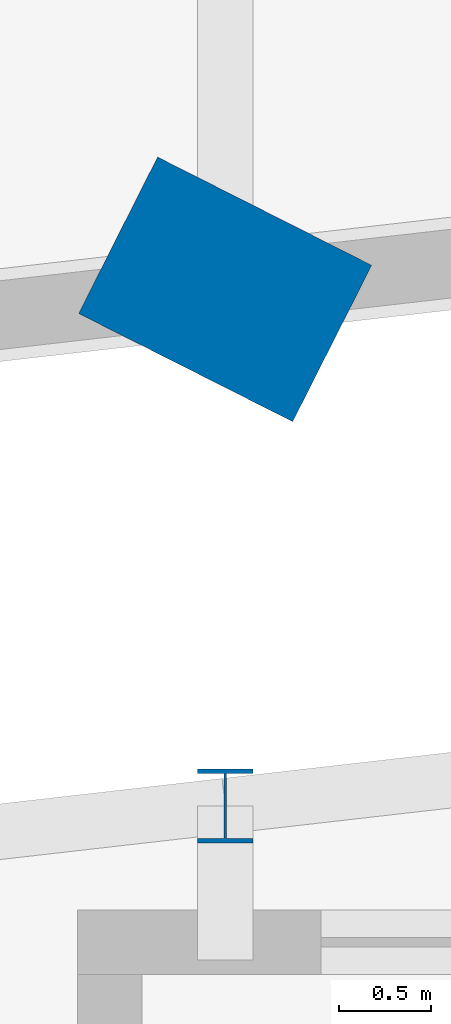
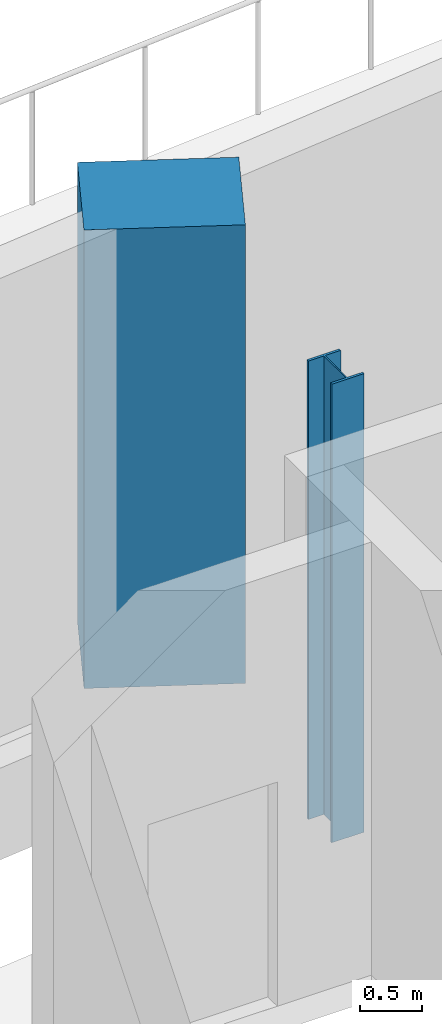
# One storey, part 7 of 87: 2 columns.
"""IFC4 building model written with IfcOpenShell, lengths in metres."""

from ifc_helpers import new_model, si_unit, direction, frame, origin, origin_2d, place, context, subcontext, project, spatial, rectangle, i_section, extrude, material, material_profile, profile_set, type_object, element, save


model = new_model("IFC4")

# Units and contexts
model_context = context("Model", 3, precision=1e-05, world=origin(), true_north=direction((0.0, 1.0)))
body_context = subcontext(model_context, "Body", "Model", "MODEL_VIEW")
ifc_project = project(units=[si_unit("LENGTHUNIT", "METRE"), si_unit("AREAUNIT", "SQUARE_METRE"), si_unit("VOLUMEUNIT", "CUBIC_METRE"), si_unit("PLANEANGLEUNIT", "RADIAN"), si_unit("MASSUNIT", "GRAM", prefix="KILO")], contexts=[model_context])

# Site, building, storey
site_placement = place(None, origin())
site = spatial("IfcSite", under=ifc_project, at=site_placement, CompositionType="ELEMENT")
building_placement = place(site_placement, origin())
building = spatial("IfcBuilding", under=site, at=building_placement, Name="Sohan Crest Arena", CompositionType="ELEMENT")
storey_placement = place(building_placement, frame((0.0, 0.0, 18.0)))
storey = spatial("IfcBuildingStorey", under=building, at=storey_placement, Name="L04", CompositionType="ELEMENT", Elevation=18.0)

# Columns
ifc_material_1 = material(Name="Concrete C40/50", Category="concrete")
ifc_material_profile_1 = material_profile(ifc_material_1, rectangle(XDim=1.300048828125, YDim=0.949951171875, at=origin_2d()), Name="RC 1300x950")
ifc_profile_set_1 = profile_set([ifc_material_profile_1], Name="Concrete C40/50")
column_type_1 = type_object("IfcColumnType", Name="STR-COL-C12", PredefinedType="COLUMN", material=ifc_profile_set_1)
column_1_placement = place(storey_placement, frame((148.0, 52.714111328125, 0.0), z_axis=(0.0, 0.0, 1.0), x_axis=(-0.892585818452, 0.450877540689, 0.0)))
element("IfcColumn", 1, at=column_1_placement, inside=storey, type_object=column_type_1, Name="Structural column COL-V1R-18-L04", PredefinedType="COLUMN", context=body_context, shape_type="SweptSolid", body=[
    extrude(rectangle(XDim=1.300048828125, YDim=0.949951171875, at=origin_2d()), origin(), (0.0, 0.0, 1.0), 4.5),
])
ifc_material_2 = material(Name="Steel S355", Category="steel")
ifc_material_profile_2 = material_profile(ifc_material_2, i_section(OverallWidth=0.300048828125, OverallDepth=0.39990234375, WebThickness=0.013427734375, FlangeThickness=0.02392578125, at=origin_2d()), Name="HEB 400")
ifc_profile_set_2 = profile_set([ifc_material_profile_2], Name="Steel S355")
column_type_2 = type_object("IfcColumnType", Name="STR-COL-C18", PredefinedType="COLUMN", material=ifc_profile_set_2)
column_2_placement = place(storey_placement, frame((148.0, 49.9140625, 0.0), z_axis=(0.0, 0.0, 1.0), x_axis=(1.0, 0.0, 0.0)))
element("IfcColumn", 2, at=column_2_placement, inside=storey, type_object=column_type_2, Name="Structural column COL-V2I-18-L04", PredefinedType="COLUMN", context=body_context, shape_type="SweptSolid", body=[
    extrude(i_section(OverallWidth=0.300048828125, OverallDepth=0.39990234375, WebThickness=0.013427734375, FlangeThickness=0.02392578125, at=origin_2d()), origin(), (0.0, 0.0, 1.0), 4.5),
])

save(model, "model.ifc")
